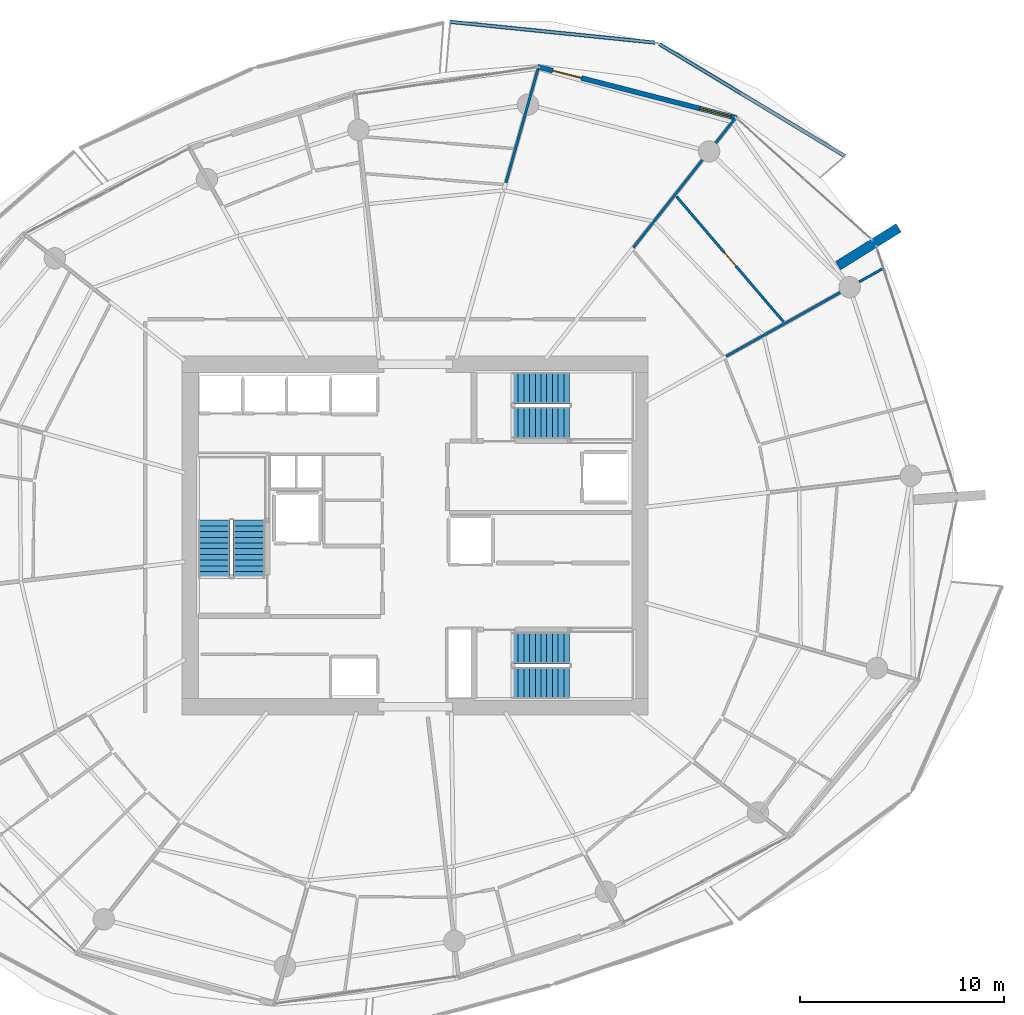
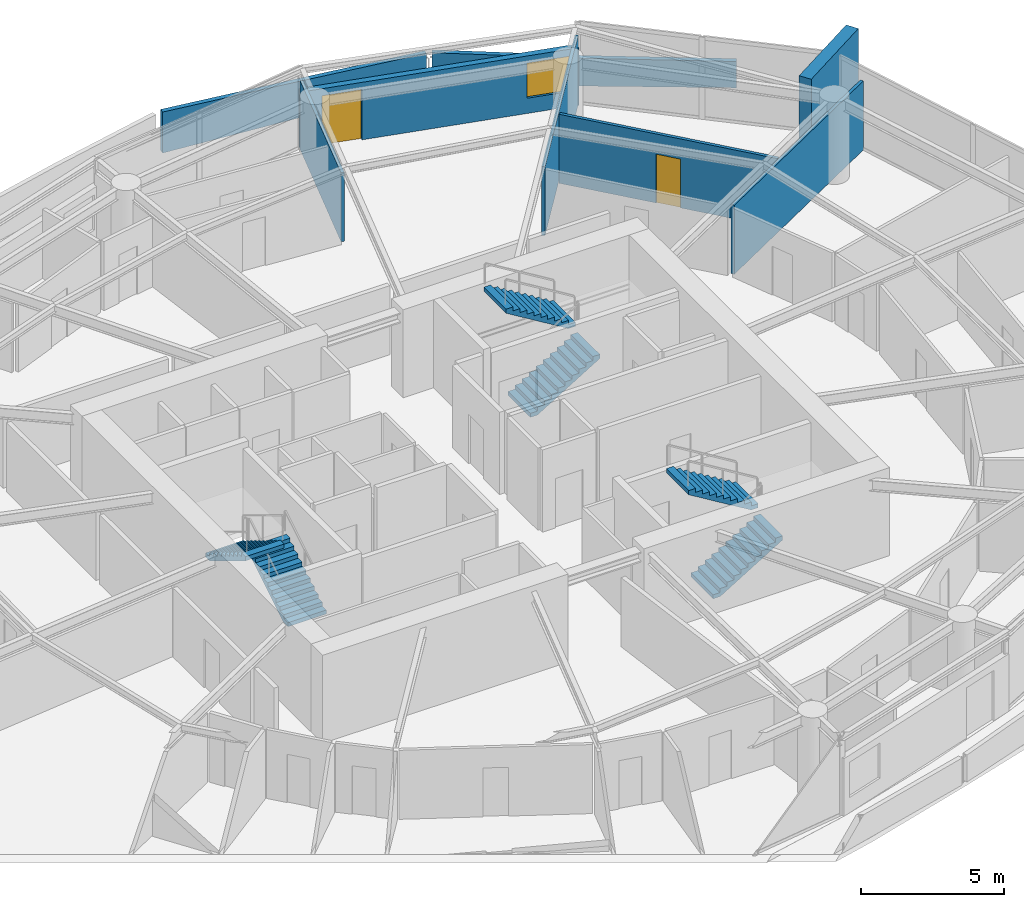
# One storey, part 15 of 20: 8 walls, 6 stair flights, 2 doors, 1 window, 3 openings, 3 elements without a shape of their own.
"""IFC4 building model written with IfcOpenShell, lengths in metres."""

import ifcopenshell
import ifcopenshell.guid

model = None  # the IFC model being written
_history = None  # IfcOwnerHistory: only IFC2X3 demands one
_inside = {}  # id of a spatial element -> (the spatial element, [elements in it])
_under = {}  # id of a project, library or spatial element -> (it, [spatial elements below it])
_declared = {}  # id of a project -> (the project, [libraries it declares])
_typed = {}  # id of a type object -> (the type object, [elements of that type])
_made_of = {}  # id of a material, layer set ... -> (it, [elements and type objects made of it])


def new_model(schema):
    """Start an empty IFC model of exactly this schema.

    Asked for "IFC4X3", IfcOpenShell would pick the latest addendum, in which some entities
    have other attributes; the version numbers below select the first issue.
    IFC2X3 requires an IfcOwnerHistory on every rooted entity: one is made here for all.
    """
    global model, _history
    if schema == "IFC4X3":
        model = ifcopenshell.file(schema_version=(4, 3, 0, 0))
    else:
        model = ifcopenshell.file(schema=schema)
    _inside.clear()
    _under.clear()
    _declared.clear()
    _typed.clear()
    _made_of.clear()
    _history = None
    if model.schema == "IFC2X3":
        org = make("IfcOrganization", Name="unknown")
        user = make(
            "IfcPersonAndOrganization",
            ThePerson=make("IfcPerson", FamilyName="unknown"),
            TheOrganization=org,
        )
        app = make(
            "IfcApplication",
            ApplicationDeveloper=org,
            Version="unknown",
            ApplicationFullName="unknown",
            ApplicationIdentifier="unknown",
        )
        _history = make(
            "IfcOwnerHistory",
            OwningUser=user,
            OwningApplication=app,
            ChangeAction="ADDED",
            CreationDate=0,
        )
    return model


def make(cls, **values):
    """One entity of the class cls with the attributes given. An attribute that is None is left unset."""
    return model.create_entity(
        cls, **{name: value for name, value in values.items() if value is not None}
    )


def rooted(cls, **values):
    """An entity with a GlobalId (a new one), such as an element, a storey or a relation."""
    return make(cls, GlobalId=ifcopenshell.guid.new(), OwnerHistory=_history, **values)


def si_unit(unit_type, name, prefix=None):
    """IfcSIUnit, for example si_unit("LENGTHUNIT", "METRE", prefix="MILLI")."""
    return make("IfcSIUnit", UnitType=unit_type, Prefix=prefix, Name=name)


def assignment(units):
    """IfcUnitAssignment: the units of a project."""
    return None if units is None else make("IfcUnitAssignment", Units=units)


def point(xyz):
    """IfcCartesianPoint."""
    return None if xyz is None else make("IfcCartesianPoint", Coordinates=xyz)


def direction(xyz):
    """IfcDirection."""
    return None if xyz is None else make("IfcDirection", DirectionRatios=xyz)


def frame(location, z_axis=None, x_axis=None):
    """IfcAxis2Placement3D, a coordinate frame: its origin and axes. An axis left out is left unset."""
    return make(
        "IfcAxis2Placement3D",
        Location=point(location),
        Axis=direction(z_axis),
        RefDirection=direction(x_axis),
    )


def frame_2d(location, x_axis=None):
    """IfcAxis2Placement2D, a coordinate frame in the plane: its origin and x axis."""
    return make(
        "IfcAxis2Placement2D", Location=point(location), RefDirection=direction(x_axis)
    )


def origin():
    """The frame at (0, 0, 0) with its axes left unset."""
    return frame((0.0, 0.0, 0.0))


def place(relative_to, where):
    """IfcLocalPlacement: puts the frame where relative to a parent placement (None: the world)."""
    return make(
        "IfcLocalPlacement", PlacementRelTo=relative_to, RelativePlacement=where
    )


def context(
    kind, dimensions, precision=None, world=None, true_north=None, identifier=None
):
    """IfcGeometricRepresentationContext, for example the 3D "Model" context."""
    return make(
        "IfcGeometricRepresentationContext",
        ContextIdentifier=identifier,
        ContextType=kind,
        CoordinateSpaceDimension=dimensions,
        Precision=precision,
        WorldCoordinateSystem=world,
        TrueNorth=true_north,
    )


def subcontext(parent, identifier, kind, view, scale=None):
    """IfcGeometricRepresentationSubContext, for example "Body" below "Model"."""
    return make(
        "IfcGeometricRepresentationSubContext",
        ContextIdentifier=identifier,
        ContextType=kind,
        ParentContext=parent,
        TargetScale=scale,
        TargetView=view,
    )


def project(units=None, contexts=None):
    """IfcProject with its units and contexts."""
    return rooted(
        "IfcProject",
        Name="project",
        RepresentationContexts=contexts,
        UnitsInContext=assignment(units),
    )


def spatial(cls, under=None, at=None, **own):
    """A site, building, storey or space (cls), placed at a placement, below another one or the project."""
    s = rooted(cls, ObjectPlacement=at, **own)
    if under is not None:
        _under.setdefault(under.id(), (under, []))[1].append(s)
    return s


def polyline(points):
    """IfcPolyline through the points."""
    return make("IfcPolyline", Points=[point(p) for p in points])


def profile(cls, at=None, kind="AREA", **sizes):
    """A parametric profile (cls). Its sizes go by their IFC names, for example OverallWidth=200.0."""
    return make(cls, ProfileType=kind, Position=at, **sizes)


def rectangle(**sizes):
    """IfcRectangleProfileDef."""
    return profile("IfcRectangleProfileDef", **sizes)


def outline(outer, holes=None, kind="AREA"):
    """IfcArbitraryClosedProfileDef: a profile drawn as a closed curve; with holes, ...WithVoids."""
    if holes is None:
        return make("IfcArbitraryClosedProfileDef", ProfileType=kind, OuterCurve=outer)
    return make(
        "IfcArbitraryProfileDefWithVoids",
        ProfileType=kind,
        OuterCurve=outer,
        InnerCurves=holes,
    )


def extrude(swept, where, along, depth):
    """IfcExtrudedAreaSolid: the profile swept, set in the frame where, extruded along a direction by depth."""
    return make(
        "IfcExtrudedAreaSolid",
        SweptArea=swept,
        Position=where,
        ExtrudedDirection=direction(along),
        Depth=depth,
    )


def shape(context_of_items, identifier, shape_type, items):
    """IfcShapeRepresentation: the items that make up one representation, for example the "Body"."""
    return make(
        "IfcShapeRepresentation",
        ContextOfItems=context_of_items,
        RepresentationIdentifier=identifier,
        RepresentationType=shape_type,
        Items=items,
    )


def material(Name=None, Category=None):
    """IfcMaterial."""
    return make("IfcMaterial", Name=Name, Category=Category)


def layer(
    of_material, thickness, ventilated=None, Name=None, Category=None, Priority=None
):
    """IfcMaterialLayer: one layer of a wall or slab, of a material (None: an air gap)."""
    return make(
        "IfcMaterialLayer",
        Material=of_material,
        LayerThickness=thickness,
        IsVentilated=ventilated,
        Name=Name,
        Category=Category,
        Priority=Priority,
    )


def layer_set(layers, Name=None):
    """IfcMaterialLayerSet."""
    return make("IfcMaterialLayerSet", MaterialLayers=layers, LayerSetName=Name)


def made_of(thing, what):
    """Note that an element or type object is made of a material, layer set ...; save() writes the relation."""
    if what is not None:
        _made_of.setdefault(what.id(), (what, []))[1].append(thing)
    return thing


def type_object(cls, material=None, **own):
    """A type object (cls), such as IfcWallType, which elements share."""
    return made_of(rooted(cls, **own), material)


def element(
    cls,
    number,
    at=None,
    inside=None,
    cuts=None,
    type_object=None,
    material=None,
    context=None,
    identifier="Body",
    shape_type=None,
    held_by="IfcProductDefinitionShape",
    body=None,
    shapes=None,
    **own,
):
    """One element of the class cls, such as IfcWall. Its Tag is "e" and its number.

    at: its placement. inside: the storey or other place that contains it. cuts: it is an
    opening in that element (IfcRelVoidsElement). A single representation is given by context,
    identifier, shape_type and body (its items); several are given by shapes. held_by: the class
    of the entity that holds the representations. save() writes the other relations.
    """
    e = rooted(cls, Tag="e%d" % number, ObjectPlacement=at, **own)
    if body is not None:
        shapes = [shape(context, identifier, shape_type, body)]
    if shapes is not None:
        e.Representation = make(held_by, Representations=shapes)
    if inside is not None:
        _inside.setdefault(inside.id(), (inside, []))[1].append(e)
    if cuts is not None:
        rooted(
            "IfcRelVoidsElement", RelatingBuildingElement=cuts, RelatedOpeningElement=e
        )
    if type_object is not None:
        _typed.setdefault(type_object.id(), (type_object, []))[1].append(e)
    return made_of(e, material)


def fill(opening, filler):
    """IfcRelFillsElement: the door or window that sits in an opening."""
    return rooted(
        "IfcRelFillsElement",
        RelatingOpeningElement=opening,
        RelatedBuildingElement=filler,
    )


def aggregate(whole, parts):
    """IfcRelAggregates: a whole, such as a stair, and the parts it consists of."""
    return rooted("IfcRelAggregates", RelatingObject=whole, RelatedObjects=parts)


def save(model, path):
    """Write the relations noted so far, then the file.

    IfcRelAggregates (storeys below a building ...), IfcRelContainedInSpatialStructure (elements
    in a storey), IfcRelDefinesByType, IfcRelAssociatesMaterial and IfcRelDeclares: one each for
    every whole, place, type object, material and project.
    """
    for whole, parts in _under.values():
        aggregate(whole, parts)
    for where, things in _inside.values():
        rooted(
            "IfcRelContainedInSpatialStructure",
            RelatedElements=things,
            RelatingStructure=where,
        )
    for kind, things in _typed.values():
        rooted("IfcRelDefinesByType", RelatedObjects=things, RelatingType=kind)
    for what, things in _made_of.values():
        rooted("IfcRelAssociatesMaterial", RelatedObjects=things, RelatingMaterial=what)
    for by, libraries in _declared.values():
        rooted("IfcRelDeclares", RelatingContext=by, RelatedDefinitions=libraries)
    model.write(path)


model = new_model("IFC4")

# Units and contexts
model_context = context("Model", 3, precision=1e-05, world=origin(), true_north=direction((0.0, 1.0)))
body_context = subcontext(model_context, "Body", "Model", "MODEL_VIEW")
ifc_project = project(units=[si_unit("LENGTHUNIT", "METRE"), si_unit("AREAUNIT", "SQUARE_METRE"), si_unit("VOLUMEUNIT", "CUBIC_METRE"), si_unit("PLANEANGLEUNIT", "RADIAN"), si_unit("MASSUNIT", "GRAM", prefix="KILO")], contexts=[model_context])

# Site, building, storey
site_placement = place(None, origin())
site = spatial("IfcSite", under=ifc_project, at=site_placement, CompositionType="ELEMENT")
building_placement = place(site_placement, origin())
building = spatial("IfcBuilding", under=site, at=building_placement, Name="Kazma Halo Residences", CompositionType="ELEMENT")
storey_placement = place(building_placement, frame((0.0, 0.0, 154.050048828125)))
storey = spatial("IfcBuildingStorey", under=building, at=storey_placement, Name="L38", CompositionType="ELEMENT", Elevation=154.050048828125)

# Walls
ifc_material_1 = material(Name="White Concrete C50/60 Balustrade", Category="concrete")
ifc_layer_1 = layer(ifc_material_1, 0.179931640625)
ifc_layer_set_1 = layer_set([ifc_layer_1], Name="White Concrete C50/60 Balustrade")
wall_type_1 = type_object("IfcWallType", Name="WL-BAL-WAVE-180", PredefinedType="PARAPET", material=ifc_layer_set_1)
wall_1_placement = place(storey_placement, frame((69.50341796875, 60.593994140625, 0.0), z_axis=(0.0, 0.0, 1.0), x_axis=(-0.856001332464, 0.516973615207, 0.0)))
element("IfcWall", 1, at=wall_1_placement, inside=storey, type_object=wall_type_1, Name="L38 white wave balustrade wall NE.1", PredefinedType="PARAPET", context=body_context, shape_type="SweptSolid", body=[
    extrude(outline(polyline([(0.0, 0.0), (10.6259765625, 0.0), (10.626220703125, 1.347900390625), (5.31298828125, 1.181884765625), (0.0, 1.119873046875), (0.0, 0.0)])), frame((0.0, 0.08984375, 0.0), z_axis=(0.0, -1.0, 0.0), x_axis=(1.0, 0.0, 0.0)), (0.0, 0.0, 1.0), 0.179931640625),
])
wall_2_placement = place(storey_placement, frame((60.185302734375, 66.16162109375, 0.0), z_axis=(0.0, 0.0, 1.0), x_axis=(-0.994889887917, 0.100965889886, 0.0)))
element("IfcWall", 2, at=wall_2_placement, inside=storey, type_object=wall_type_1, Name="L38 white wave balustrade wall NE.2", PredefinedType="PARAPET", context=body_context, shape_type="SweptSolid", body=[
    extrude(outline(polyline([(0.0, 0.0), (10.10009765625, 0.0), (10.10009765625, 1.7470703125), (5.050048828125, 1.56201171875), (0.0, 1.347900390625), (0.0, 0.0)])), frame((0.0, 0.08984375, 0.0), z_axis=(0.0, -1.0, 0.0), x_axis=(1.0, 0.0, 0.0)), (0.0, 0.0, 1.0), 0.179931640625),
])
ifc_material_2 = material(Name="Pale Concrete C60/75", Category="concrete")
ifc_layer_2 = layer(ifc_material_2, 0.47998046875)
ifc_layer_set_2 = layer_set([ifc_layer_2], Name="Pale Concrete C60/75")
wall_type_2 = type_object("IfcWallType", Name="WL-BLADE-480", PredefinedType="SOLIDWALL", material=ifc_layer_set_2)
wall_3_placement = place(storey_placement, frame((69.165283203125, 55.2255859375, 0.0), z_axis=(0.0, 0.0, 1.0), x_axis=(0.848053161125, 0.529911158502, 0.0)))
element("IfcWall", 3, at=wall_3_placement, inside=storey, type_object=wall_type_2, Name="L38 pale concrete structural blade fin wall BW-01", PredefinedType="SOLIDWALL", context=body_context, shape_type="SweptSolid", body=[
    extrude(rectangle(XDim=3.5, YDim=0.47998046875, at=frame_2d((1.75, 0.0))), origin(), (0.0, 0.0, 1.0), 3.75),
])

# Wall, openings, door, window
ifc_material_3 = material(Name="Insulated Pale-Metal Composite Wall")
ifc_layer_3 = layer(ifc_material_3, 0.239990234375)
ifc_layer_set_3 = layer_set([ifc_layer_3], Name="Insulated Pale-Metal Composite Wall")
wall_type_3 = type_object("IfcWallType", Name="WL-EXT-HOST-240", PredefinedType="SOLIDWALL", material=ifc_layer_set_3)
wall_4_placement = place(storey_placement, frame((64.192138671875, 62.4658203125, 0.0), z_axis=(0.0, 0.0, 1.0), x_axis=(-0.968379685126, 0.249481032214, 0.0)))
wall_4 = element("IfcWall", 4, at=wall_4_placement, inside=storey, type_object=wall_type_3, Name="L38 exterior terrace-access wall B02", PredefinedType="SOLIDWALL", context=body_context, shape_type="SweptSolid", body=[
    extrude(rectangle(XDim=10.08154296875, YDim=0.239990234375, at=frame_2d((5.040771484375, 0.0))), origin(), (0.0, 0.0, 1.0), 2.449951171875),
])
opening_1_placement = place(wall_4_placement, frame((7.861572265625, 0.0, 0.0)))
opening_1 = element("IfcOpeningElement", 5, at=opening_1_placement, cuts=wall_4, Name="Opening DTR-1600", PredefinedType="OPENING", context=body_context, shape_type="SweptSolid", body=[
    extrude(rectangle(XDim=1.449951171875, YDim=2.14990234375, at=frame_2d((0.72509765625, 1.074951171875))), frame((0.0, 0.1298828125, 0.0), z_axis=(0.0, -1.0, 0.0), x_axis=(1.0, 0.0, 0.0)), (0.0, 0.0, 1.0), 0.260009765625),
])
opening_2_placement = place(wall_4_placement, frame((0.280029296875, 0.0, 0.64990234375)))
opening_2 = element("IfcOpeningElement", 6, at=opening_2_placement, cuts=wall_4, Name="Opening W-1800", PredefinedType="OPENING", context=body_context, shape_type="SweptSolid", body=[
    extrude(rectangle(XDim=1.60009765625, YDim=1.5, at=frame_2d((0.800048828125, 0.75))), frame((0.0, 0.1298828125, 0.0), z_axis=(0.0, -1.0, 0.0), x_axis=(1.0, 0.0, 0.0)), (0.0, 0.0, 1.0), 0.260009765625),
])
ifc_material_4 = material(Name="Aluminium AW-6063 T6 Double-Glazed Terrace Door", Category="aluminium")
door_type_1 = type_object("IfcDoorType", Name="DR-EXT-TERR-1600", OperationType="NOTDEFINED", PredefinedType="DOOR", material=ifc_material_4)
door_1_placement = place(opening_1_placement, origin())
door_1 = element("IfcDoor", 7, at=door_1_placement, inside=storey, type_object=door_type_1, Name="L38 B02 balcony terrace door", OperationType="DOUBLE_DOOR_SLIDING", OverallHeight=2.14990234375, OverallWidth=1.449951171875, PredefinedType="DOOR", context=body_context, shape_type="SweptSolid", body=[
    extrude(rectangle(XDim=1.449951171875, YDim=2.14990234375, at=frame_2d((0.72509765625, 1.074951171875))), frame((0.0, 0.02490234375, 0.0), z_axis=(0.0, -1.0, 0.0), x_axis=(1.0, 0.0, 0.0)), (0.0, 0.0, 1.0), 0.050048828125),
])
fill(opening_1, door_1)
ifc_material_5 = material(Name="Clear Triple-Silver Low-E Glass in Aluminium AW-6063 T6 Frame", Category="aluminium")
window_type = type_object("IfcWindowType", Name="WIN-RES-1800", PartitioningType="DOUBLE_PANEL_VERTICAL", PredefinedType="WINDOW", material=ifc_material_5)
window_placement = place(opening_2_placement, origin())
window = element("IfcWindow", 8, at=window_placement, inside=storey, type_object=window_type, Name="L38 B02 apartment window", OverallHeight=1.5, OverallWidth=1.60009765625, PartitioningType="SINGLE_PANEL", PredefinedType="WINDOW", context=body_context, shape_type="SweptSolid", body=[
    extrude(rectangle(XDim=1.60009765625, YDim=1.5, at=frame_2d((0.800048828125, 0.75))), frame((0.0, 0.030029296875, 0.0), z_axis=(0.0, -1.0, 0.0), x_axis=(1.0, 0.0, 0.0)), (0.0, 0.0, 1.0), 0.06005859375),
])
fill(opening_2, window)

# Walls
ifc_material_6 = material(Name="Gypsum Plasterboard Partition")
ifc_layer_4 = layer(ifc_material_6, 0.125)
ifc_layer_set_4 = layer_set([ifc_layer_4], Name="Gypsum Plasterboard Partition")
wall_type_4 = type_object("IfcWallType", Name="WL-PART-125", PredefinedType="PARTITIONING", material=ifc_layer_set_4)
wall_5_placement = place(storey_placement, frame((63.6787109375, 50.780517578125, 0.0), z_axis=(0.0, 0.0, 1.0), x_axis=(0.872493265844, 0.488626136281, 0.0)))
element("IfcWall", 9, at=wall_5_placement, inside=storey, type_object=wall_type_4, Name="L38 Apartment 3 radial partition 0", PredefinedType="PARTITIONING", context=body_context, shape_type="SweptSolid", body=[
    extrude(rectangle(XDim=8.816162109375, YDim=0.125, at=frame_2d((4.408203125, 0.0))), origin(), (0.0, 0.0, 1.0), 2.93994140625),
])
wall_6_placement = place(storey_placement, frame((59.125, 56.112060546875, 0.0), z_axis=(0.0, 0.0, 1.0), x_axis=(0.61910151414, 0.78531096719, 0.0)))
element("IfcWall", 10, at=wall_6_placement, inside=storey, type_object=wall_type_4, Name="L38 Apartment 3 living radial partition 0", PredefinedType="PARTITIONING", context=body_context, shape_type="SweptSolid", body=[
    extrude(rectangle(XDim=8.081787109375, YDim=0.125, at=frame_2d((4.041015625, 0.0))), origin(), (0.0, 0.0, 1.0), 2.93994140625),
])

# Wall, opening, door
wall_7_placement = place(storey_placement, frame((66.485595703125, 52.47607421875, 0.0), z_axis=(0.0, 0.0, 1.0), x_axis=(-0.649426515446, 0.760424355894, 0.0)))
wall_7 = element("IfcWall", 11, at=wall_7_placement, inside=storey, type_object=wall_type_4, Name="L38 Apartment 3 Gulf Master Bedroom divider wall", PredefinedType="PARTITIONING", context=body_context, shape_type="SweptSolid", body=[
    extrude(rectangle(XDim=8.078857421875, YDim=0.125, at=frame_2d((4.03955078125, 0.0))), origin(), (0.0, 0.0, 1.0), 2.93994140625),
])
opening_3_placement = place(wall_7_placement, frame((3.58935546875, 0.0, 0.0)))
opening_3 = element("IfcOpeningElement", 12, at=opening_3_placement, cuts=wall_7, Name="Opening DI-950", PredefinedType="OPENING", context=body_context, shape_type="SweptSolid", body=[
    extrude(rectangle(XDim=0.89990234375, YDim=2.080078125, at=frame_2d((0.449951171875, 1.0400390625))), frame((0.0, 0.072509765625, 0.0), z_axis=(0.0, -1.0, 0.0), x_axis=(1.0, 0.0, 0.0)), (0.0, 0.0, 1.0), 0.14501953125),
])
ifc_material_7 = material(Name="Timber Veneer Flush Leaf", Category="wood")
door_type_2 = type_object("IfcDoorType", Name="DR-INT-950", OperationType="NOTDEFINED", PredefinedType="DOOR", material=ifc_material_7)
door_2_placement = place(opening_3_placement, origin())
door_2 = element("IfcDoor", 13, at=door_2_placement, inside=storey, type_object=door_type_2, Name="L38 Apartment 3 Gulf Master Bedroom door", OperationType="SINGLE_SWING_RIGHT", OverallHeight=2.080078125, OverallWidth=0.89990234375, PredefinedType="DOOR", context=body_context, shape_type="SweptSolid", body=[
    extrude(rectangle(XDim=0.89990234375, YDim=2.080078125, at=frame_2d((0.449951171875, 1.0400390625))), frame((0.0, 0.02490234375, 0.0), z_axis=(0.0, -1.0, 0.0), x_axis=(1.0, 0.0, 0.0)), (0.0, 0.0, 1.0), 0.050048828125),
])
fill(opening_3, door_2)

# Wall
wall_8_placement = place(storey_placement, frame((52.877685546875, 59.29541015625, 0.0), z_axis=(0.0, 0.0, 1.0), x_axis=(0.271461170106, 0.962449392501, 0.0)))
element("IfcWall", 14, at=wall_8_placement, inside=storey, type_object=wall_type_4, Name="L38 Apartment 3 radial partition 2", PredefinedType="PARTITIONING", context=body_context, shape_type="SweptSolid", body=[
    extrude(rectangle(XDim=5.769287109375, YDim=0.125, at=frame_2d((2.884765625, 0.0))), origin(), (0.0, 0.0, 1.0), 2.93994140625),
])

# Stair, stair flights
ifc_material_8 = material(Name="Concrete C50/60", Category="concrete")
stair_type = type_object("IfcStairType", Name="STR-RES1", PredefinedType="HALF_TURN_STAIR", material=ifc_material_8)
stair_1_placement = place(storey_placement, origin())
stair_1 = element("IfcStair", 15, at=stair_1_placement, inside=storey, type_object=stair_type, Name="L38 Core exit stair ST-01", PredefinedType="HALF_TURN_STAIR")
stair_flight_type = type_object("IfcStairFlightType", Name="STR-RES1-FLT", PredefinedType="STRAIGHT", material=ifc_material_8)
stair_flight_1_placement = place(storey_placement, frame((40.27490234375, 39.949951171875, 0.0), z_axis=(0.0, 0.0, 1.0), x_axis=(0.0, 1.0, 0.0)))
stair_flight_1 = element("IfcStairFlight", 16, at=stair_flight_1_placement, type_object=stair_flight_type, Name="ST-01 flight 1", NumberOfRisers=11, NumberOfTreads=10, PredefinedType="STRAIGHT", RiserHeight=0.170454545, TreadLength=0.28, context=body_context, shape_type="SweptSolid", body=[
    extrude(outline(polyline([(0.0, 0.0), (0.0, 0.17041015625), (0.280029296875, 0.17041015625), (0.280029296875, 0.3408203125), (0.56005859375, 0.3408203125), (0.56005859375, 0.511474609375), (0.840087890625, 0.511474609375), (0.840087890625, 0.681884765625), (1.1201171875, 0.681884765625), (1.1201171875, 0.852294921875), (1.39990234375, 0.852294921875), (1.39990234375, 1.022705078125), (1.679931640625, 1.022705078125), (1.679931640625, 1.193115234375), (1.9599609375, 1.193115234375), (1.9599609375, 1.363525390625), (2.239990234375, 1.363525390625), (2.239990234375, 1.5341796875), (2.52001953125, 1.5341796875), (2.52001953125, 1.70458984375), (2.800048828125, 1.70458984375), (2.800048828125, 1.875), (2.800048828125, 1.529052734375), (0.288330078125, 0.0), (0.0, 0.0)])), frame((0.0, 0.77490234375, 0.0), z_axis=(0.0, -1.0, 0.0), x_axis=(1.0, 0.0, 0.0)), (0.0, 0.0, 1.0), 1.550048828125),
])
stair_flight_2_placement = place(storey_placement, frame((38.574951171875, 42.75, 1.875), z_axis=(0.0, 0.0, 1.0), x_axis=(0.0, -1.0, 0.0)))
stair_flight_2 = element("IfcStairFlight", 17, at=stair_flight_2_placement, type_object=stair_flight_type, Name="ST-01 flight 2", NumberOfRisers=11, NumberOfTreads=10, PredefinedType="STRAIGHT", RiserHeight=0.170454545, TreadLength=0.28, context=body_context, shape_type="SweptSolid", body=[
    extrude(outline(polyline([(0.0, 0.0), (0.0, 0.17041015625), (0.280029296875, 0.17041015625), (0.280029296875, 0.3408203125), (0.56005859375, 0.3408203125), (0.56005859375, 0.511474609375), (0.840087890625, 0.511474609375), (0.840087890625, 0.681884765625), (1.1201171875, 0.681884765625), (1.1201171875, 0.852294921875), (1.39990234375, 0.852294921875), (1.39990234375, 1.022705078125), (1.679931640625, 1.022705078125), (1.679931640625, 1.193115234375), (1.9599609375, 1.193115234375), (1.9599609375, 1.363525390625), (2.239990234375, 1.363525390625), (2.239990234375, 1.5341796875), (2.52001953125, 1.5341796875), (2.52001953125, 1.70458984375), (2.800048828125, 1.70458984375), (2.800048828125, 1.875), (2.800048828125, 1.529052734375), (0.288330078125, 0.0), (0.0, 0.0)])), frame((0.0, 0.77490234375, 0.0), z_axis=(0.0, -1.0, 0.0), x_axis=(1.0, 0.0, 0.0)), (0.0, 0.0, 1.0), 1.550048828125),
])
aggregate(stair_1, [stair_flight_1, stair_flight_2])

stair_2_placement = place(storey_placement, origin())
stair_2 = element("IfcStair", 18, at=stair_2_placement, inside=storey, type_object=stair_type, Name="L38 Core exit stair ST-02", PredefinedType="HALF_TURN_STAIR")
stair_flight_3_placement = place(storey_placement, frame((53.199951171875, 47.52490234375, 0.0), z_axis=(0.0, 0.0, 1.0), x_axis=(1.0, 0.0, 0.0)))
stair_flight_3 = element("IfcStairFlight", 19, at=stair_flight_3_placement, type_object=stair_flight_type, Name="ST-02 flight 1", NumberOfRisers=11, NumberOfTreads=10, PredefinedType="STRAIGHT", RiserHeight=0.170454545, TreadLength=0.28, context=body_context, shape_type="SweptSolid", body=[
    extrude(outline(polyline([(0.0, 0.0), (0.0, 0.17041015625), (0.280029296875, 0.17041015625), (0.280029296875, 0.3408203125), (0.56005859375, 0.3408203125), (0.56005859375, 0.511474609375), (0.840087890625, 0.511474609375), (0.840087890625, 0.681884765625), (1.1201171875, 0.681884765625), (1.1201171875, 0.852294921875), (1.39990234375, 0.852294921875), (1.39990234375, 1.022705078125), (1.679931640625, 1.022705078125), (1.679931640625, 1.193115234375), (1.9599609375, 1.193115234375), (1.9599609375, 1.363525390625), (2.239990234375, 1.363525390625), (2.239990234375, 1.5341796875), (2.52001953125, 1.5341796875), (2.52001953125, 1.70458984375), (2.800048828125, 1.70458984375), (2.800048828125, 1.875), (2.800048828125, 1.529052734375), (0.288330078125, 0.0), (0.0, 0.0)])), frame((0.0, 0.77490234375, 0.0), z_axis=(0.0, -1.0, 0.0), x_axis=(1.0, 0.0, 0.0)), (0.0, 0.0, 1.0), 1.550048828125),
])
stair_flight_4_placement = place(storey_placement, frame((56.0, 49.22509765625, 1.875), z_axis=(0.0, 0.0, 1.0), x_axis=(-1.0, 0.0, 0.0)))
stair_flight_4 = element("IfcStairFlight", 20, at=stair_flight_4_placement, type_object=stair_flight_type, Name="ST-02 flight 2", NumberOfRisers=11, NumberOfTreads=10, PredefinedType="STRAIGHT", RiserHeight=0.170454545, TreadLength=0.28, context=body_context, shape_type="SweptSolid", body=[
    extrude(outline(polyline([(0.0, 0.0), (0.0, 0.17041015625), (0.280029296875, 0.17041015625), (0.280029296875, 0.3408203125), (0.56005859375, 0.3408203125), (0.56005859375, 0.511474609375), (0.840087890625, 0.511474609375), (0.840087890625, 0.681884765625), (1.1201171875, 0.681884765625), (1.1201171875, 0.852294921875), (1.39990234375, 0.852294921875), (1.39990234375, 1.022705078125), (1.679931640625, 1.022705078125), (1.679931640625, 1.193115234375), (1.9599609375, 1.193115234375), (1.9599609375, 1.363525390625), (2.239990234375, 1.363525390625), (2.239990234375, 1.5341796875), (2.52001953125, 1.5341796875), (2.52001953125, 1.70458984375), (2.800048828125, 1.70458984375), (2.800048828125, 1.875), (2.800048828125, 1.529052734375), (0.288330078125, 0.0), (0.0, 0.0)])), frame((0.0, 0.77490234375, 0.0), z_axis=(0.0, -1.0, 0.0), x_axis=(1.0, 0.0, 0.0)), (0.0, 0.0, 1.0), 1.550048828125),
])
aggregate(stair_2, [stair_flight_3, stair_flight_4])

stair_3_placement = place(storey_placement, origin())
stair_3 = element("IfcStair", 21, at=stair_3_placement, inside=storey, type_object=stair_type, Name="L38 Core exit stair ST-03", PredefinedType="HALF_TURN_STAIR")
stair_flight_5_placement = place(storey_placement, frame((53.199951171875, 34.77490234375, 0.0), z_axis=(0.0, 0.0, 1.0), x_axis=(1.0, 0.0, 0.0)))
stair_flight_5 = element("IfcStairFlight", 22, at=stair_flight_5_placement, type_object=stair_flight_type, Name="ST-03 flight 1", NumberOfRisers=11, NumberOfTreads=10, PredefinedType="STRAIGHT", RiserHeight=0.170454545, TreadLength=0.28, context=body_context, shape_type="SweptSolid", body=[
    extrude(outline(polyline([(0.0, 0.0), (0.0, 0.17041015625), (0.280029296875, 0.17041015625), (0.280029296875, 0.3408203125), (0.56005859375, 0.3408203125), (0.56005859375, 0.511474609375), (0.840087890625, 0.511474609375), (0.840087890625, 0.681884765625), (1.1201171875, 0.681884765625), (1.1201171875, 0.852294921875), (1.39990234375, 0.852294921875), (1.39990234375, 1.022705078125), (1.679931640625, 1.022705078125), (1.679931640625, 1.193115234375), (1.9599609375, 1.193115234375), (1.9599609375, 1.363525390625), (2.239990234375, 1.363525390625), (2.239990234375, 1.5341796875), (2.52001953125, 1.5341796875), (2.52001953125, 1.70458984375), (2.800048828125, 1.70458984375), (2.800048828125, 1.875), (2.800048828125, 1.529052734375), (0.288330078125, 0.0), (0.0, 0.0)])), frame((0.0, 0.77490234375, 0.0), z_axis=(0.0, -1.0, 0.0), x_axis=(1.0, 0.0, 0.0)), (0.0, 0.0, 1.0), 1.550048828125),
])
stair_flight_6_placement = place(storey_placement, frame((56.0, 36.47509765625, 1.875), z_axis=(0.0, 0.0, 1.0), x_axis=(-1.0, 0.0, 0.0)))
stair_flight_6 = element("IfcStairFlight", 23, at=stair_flight_6_placement, type_object=stair_flight_type, Name="ST-03 flight 2", NumberOfRisers=11, NumberOfTreads=10, PredefinedType="STRAIGHT", RiserHeight=0.170454545, TreadLength=0.28, context=body_context, shape_type="SweptSolid", body=[
    extrude(outline(polyline([(0.0, 0.0), (0.0, 0.17041015625), (0.280029296875, 0.17041015625), (0.280029296875, 0.3408203125), (0.56005859375, 0.3408203125), (0.56005859375, 0.511474609375), (0.840087890625, 0.511474609375), (0.840087890625, 0.681884765625), (1.1201171875, 0.681884765625), (1.1201171875, 0.852294921875), (1.39990234375, 0.852294921875), (1.39990234375, 1.022705078125), (1.679931640625, 1.022705078125), (1.679931640625, 1.193115234375), (1.9599609375, 1.193115234375), (1.9599609375, 1.363525390625), (2.239990234375, 1.363525390625), (2.239990234375, 1.5341796875), (2.52001953125, 1.5341796875), (2.52001953125, 1.70458984375), (2.800048828125, 1.70458984375), (2.800048828125, 1.875), (2.800048828125, 1.529052734375), (0.288330078125, 0.0), (0.0, 0.0)])), frame((0.0, 0.77490234375, 0.0), z_axis=(0.0, -1.0, 0.0), x_axis=(1.0, 0.0, 0.0)), (0.0, 0.0, 1.0), 1.550048828125),
])
aggregate(stair_3, [stair_flight_5, stair_flight_6])

save(model, "model.ifc")
